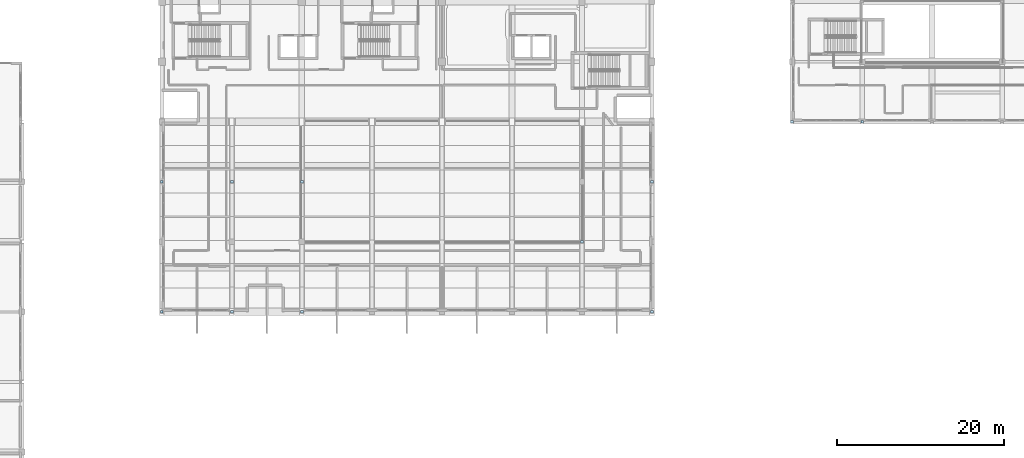
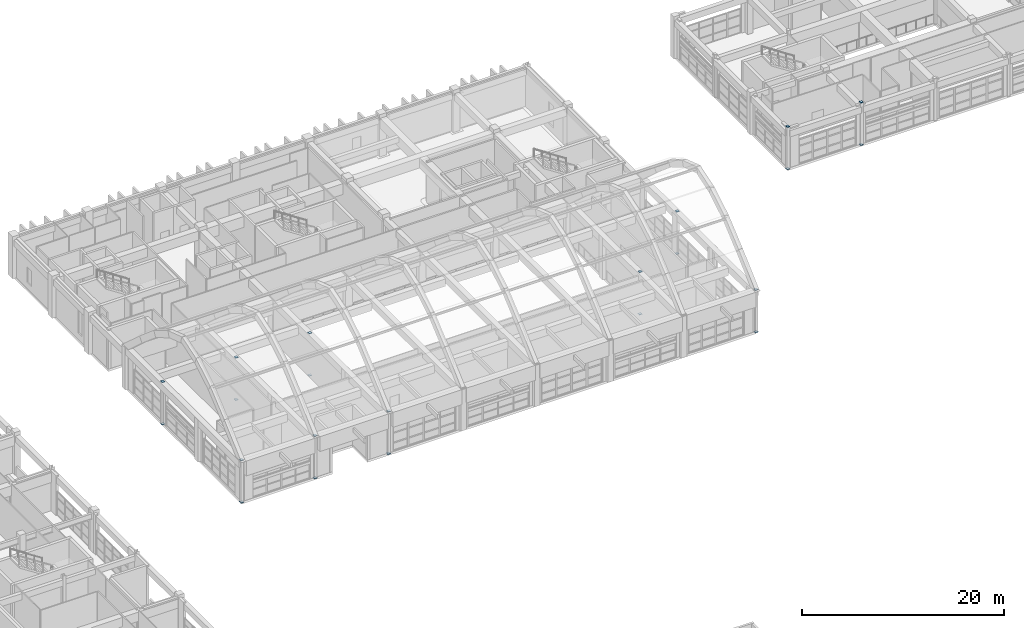
# One storey, part 81 of 103: 22 plates.
"""IFC4 building model written with IfcOpenShell, lengths in metres."""

import ifcopenshell
import ifcopenshell.guid

model = None  # the IFC model being written
_history = None  # IfcOwnerHistory: only IFC2X3 demands one
_inside = {}  # id of a spatial element -> (the spatial element, [elements in it])
_under = {}  # id of a project, library or spatial element -> (it, [spatial elements below it])
_declared = {}  # id of a project -> (the project, [libraries it declares])
_typed = {}  # id of a type object -> (the type object, [elements of that type])
_made_of = {}  # id of a material, layer set ... -> (it, [elements and type objects made of it])


def new_model(schema):
    """Start an empty IFC model of exactly this schema.

    Asked for "IFC4X3", IfcOpenShell would pick the latest addendum, in which some entities
    have other attributes; the version numbers below select the first issue.
    IFC2X3 requires an IfcOwnerHistory on every rooted entity: one is made here for all.
    """
    global model, _history
    if schema == "IFC4X3":
        model = ifcopenshell.file(schema_version=(4, 3, 0, 0))
    else:
        model = ifcopenshell.file(schema=schema)
    _inside.clear()
    _under.clear()
    _declared.clear()
    _typed.clear()
    _made_of.clear()
    _history = None
    if model.schema == "IFC2X3":
        org = make("IfcOrganization", Name="unknown")
        user = make(
            "IfcPersonAndOrganization",
            ThePerson=make("IfcPerson", FamilyName="unknown"),
            TheOrganization=org,
        )
        app = make(
            "IfcApplication",
            ApplicationDeveloper=org,
            Version="unknown",
            ApplicationFullName="unknown",
            ApplicationIdentifier="unknown",
        )
        _history = make(
            "IfcOwnerHistory",
            OwningUser=user,
            OwningApplication=app,
            ChangeAction="ADDED",
            CreationDate=0,
        )
    return model


def make(cls, **values):
    """One entity of the class cls with the attributes given. An attribute that is None is left unset."""
    return model.create_entity(
        cls, **{name: value for name, value in values.items() if value is not None}
    )


def rooted(cls, **values):
    """An entity with a GlobalId (a new one), such as an element, a storey or a relation."""
    return make(cls, GlobalId=ifcopenshell.guid.new(), OwnerHistory=_history, **values)


def si_unit(unit_type, name, prefix=None):
    """IfcSIUnit, for example si_unit("LENGTHUNIT", "METRE", prefix="MILLI")."""
    return make("IfcSIUnit", UnitType=unit_type, Prefix=prefix, Name=name)


def assignment(units):
    """IfcUnitAssignment: the units of a project."""
    return None if units is None else make("IfcUnitAssignment", Units=units)


def point(xyz):
    """IfcCartesianPoint."""
    return None if xyz is None else make("IfcCartesianPoint", Coordinates=xyz)


def direction(xyz):
    """IfcDirection."""
    return None if xyz is None else make("IfcDirection", DirectionRatios=xyz)


def frame(location, z_axis=None, x_axis=None):
    """IfcAxis2Placement3D, a coordinate frame: its origin and axes. An axis left out is left unset."""
    return make(
        "IfcAxis2Placement3D",
        Location=point(location),
        Axis=direction(z_axis),
        RefDirection=direction(x_axis),
    )


def frame_2d(location, x_axis=None):
    """IfcAxis2Placement2D, a coordinate frame in the plane: its origin and x axis."""
    return make(
        "IfcAxis2Placement2D", Location=point(location), RefDirection=direction(x_axis)
    )


def origin():
    """The frame at (0, 0, 0) with its axes left unset."""
    return frame((0.0, 0.0, 0.0))


def origin_2d():
    """The frame at (0, 0) in the plane with its x axis left unset."""
    return frame_2d((0.0, 0.0))


def place(relative_to, where):
    """IfcLocalPlacement: puts the frame where relative to a parent placement (None: the world)."""
    return make(
        "IfcLocalPlacement", PlacementRelTo=relative_to, RelativePlacement=where
    )


def context(
    kind, dimensions, precision=None, world=None, true_north=None, identifier=None
):
    """IfcGeometricRepresentationContext, for example the 3D "Model" context."""
    return make(
        "IfcGeometricRepresentationContext",
        ContextIdentifier=identifier,
        ContextType=kind,
        CoordinateSpaceDimension=dimensions,
        Precision=precision,
        WorldCoordinateSystem=world,
        TrueNorth=true_north,
    )


def subcontext(parent, identifier, kind, view, scale=None):
    """IfcGeometricRepresentationSubContext, for example "Body" below "Model"."""
    return make(
        "IfcGeometricRepresentationSubContext",
        ContextIdentifier=identifier,
        ContextType=kind,
        ParentContext=parent,
        TargetScale=scale,
        TargetView=view,
    )


def project(units=None, contexts=None):
    """IfcProject with its units and contexts."""
    return rooted(
        "IfcProject",
        Name="project",
        RepresentationContexts=contexts,
        UnitsInContext=assignment(units),
    )


def spatial(cls, under=None, at=None, **own):
    """A site, building, storey or space (cls), placed at a placement, below another one or the project."""
    s = rooted(cls, ObjectPlacement=at, **own)
    if under is not None:
        _under.setdefault(under.id(), (under, []))[1].append(s)
    return s


def profile(cls, at=None, kind="AREA", **sizes):
    """A parametric profile (cls). Its sizes go by their IFC names, for example OverallWidth=200.0."""
    return make(cls, ProfileType=kind, Position=at, **sizes)


def rectangle(**sizes):
    """IfcRectangleProfileDef."""
    return profile("IfcRectangleProfileDef", **sizes)


def extrude(swept, where, along, depth):
    """IfcExtrudedAreaSolid: the profile swept, set in the frame where, extruded along a direction by depth."""
    return make(
        "IfcExtrudedAreaSolid",
        SweptArea=swept,
        Position=where,
        ExtrudedDirection=direction(along),
        Depth=depth,
    )


def shape(context_of_items, identifier, shape_type, items):
    """IfcShapeRepresentation: the items that make up one representation, for example the "Body"."""
    return make(
        "IfcShapeRepresentation",
        ContextOfItems=context_of_items,
        RepresentationIdentifier=identifier,
        RepresentationType=shape_type,
        Items=items,
    )


def material(Name=None, Category=None):
    """IfcMaterial."""
    return make("IfcMaterial", Name=Name, Category=Category)


def layer(
    of_material, thickness, ventilated=None, Name=None, Category=None, Priority=None
):
    """IfcMaterialLayer: one layer of a wall or slab, of a material (None: an air gap)."""
    return make(
        "IfcMaterialLayer",
        Material=of_material,
        LayerThickness=thickness,
        IsVentilated=ventilated,
        Name=Name,
        Category=Category,
        Priority=Priority,
    )


def layer_set(layers, Name=None):
    """IfcMaterialLayerSet."""
    return make("IfcMaterialLayerSet", MaterialLayers=layers, LayerSetName=Name)


def made_of(thing, what):
    """Note that an element or type object is made of a material, layer set ...; save() writes the relation."""
    if what is not None:
        _made_of.setdefault(what.id(), (what, []))[1].append(thing)
    return thing


def type_object(cls, material=None, **own):
    """A type object (cls), such as IfcWallType, which elements share."""
    return made_of(rooted(cls, **own), material)


def element(
    cls,
    number,
    at=None,
    inside=None,
    cuts=None,
    type_object=None,
    material=None,
    context=None,
    identifier="Body",
    shape_type=None,
    held_by="IfcProductDefinitionShape",
    body=None,
    shapes=None,
    **own,
):
    """One element of the class cls, such as IfcWall. Its Tag is "e" and its number.

    at: its placement. inside: the storey or other place that contains it. cuts: it is an
    opening in that element (IfcRelVoidsElement). A single representation is given by context,
    identifier, shape_type and body (its items); several are given by shapes. held_by: the class
    of the entity that holds the representations. save() writes the other relations.
    """
    e = rooted(cls, Tag="e%d" % number, ObjectPlacement=at, **own)
    if body is not None:
        shapes = [shape(context, identifier, shape_type, body)]
    if shapes is not None:
        e.Representation = make(held_by, Representations=shapes)
    if inside is not None:
        _inside.setdefault(inside.id(), (inside, []))[1].append(e)
    if cuts is not None:
        rooted(
            "IfcRelVoidsElement", RelatingBuildingElement=cuts, RelatedOpeningElement=e
        )
    if type_object is not None:
        _typed.setdefault(type_object.id(), (type_object, []))[1].append(e)
    return made_of(e, material)


def aggregate(whole, parts):
    """IfcRelAggregates: a whole, such as a stair, and the parts it consists of."""
    return rooted("IfcRelAggregates", RelatingObject=whole, RelatedObjects=parts)


def save(model, path):
    """Write the relations noted so far, then the file.

    IfcRelAggregates (storeys below a building ...), IfcRelContainedInSpatialStructure (elements
    in a storey), IfcRelDefinesByType, IfcRelAssociatesMaterial and IfcRelDeclares: one each for
    every whole, place, type object, material and project.
    """
    for whole, parts in _under.values():
        aggregate(whole, parts)
    for where, things in _inside.values():
        rooted(
            "IfcRelContainedInSpatialStructure",
            RelatedElements=things,
            RelatingStructure=where,
        )
    for kind, things in _typed.values():
        rooted("IfcRelDefinesByType", RelatedObjects=things, RelatingType=kind)
    for what, things in _made_of.values():
        rooted("IfcRelAssociatesMaterial", RelatedObjects=things, RelatingMaterial=what)
    for by, libraries in _declared.values():
        rooted("IfcRelDeclares", RelatingContext=by, RelatedDefinitions=libraries)
    model.write(path)


model = new_model("IFC4")

# Units and contexts
model_context = context("Model", 3, precision=1e-05, world=origin(), true_north=direction((0.0, 1.0)))
body_context = subcontext(model_context, "Body", "Model", "MODEL_VIEW")
ifc_project = project(units=[si_unit("LENGTHUNIT", "METRE"), si_unit("AREAUNIT", "SQUARE_METRE"), si_unit("VOLUMEUNIT", "CUBIC_METRE"), si_unit("PLANEANGLEUNIT", "RADIAN"), si_unit("MASSUNIT", "GRAM", prefix="KILO")], contexts=[model_context])

# Site, building, storey
site_placement = place(None, origin())
site = spatial("IfcSite", under=ifc_project, at=site_placement, CompositionType="ELEMENT")
building_placement = place(site_placement, origin())
building = spatial("IfcBuilding", under=site, at=building_placement, Name="Quendrovan Civic Courthouse", CompositionType="ELEMENT")
storey_placement = place(building_placement, frame((0.0, 0.0, 15.300048828125)))
storey = spatial("IfcBuildingStorey", under=building, at=storey_placement, Name="L04", CompositionType="ELEMENT", Elevation=15.300048828125)

# Plates
ifc_material = material(Name="Steel ASTM A572 Grade 50", Category="steel")
ifc_layer = layer(ifc_material, 0.011962890625, Name="Steel ASTM A572 Grade 50")
ifc_layer_set = layer_set([ifc_layer], Name="Steel ASTM A572 Grade 50")
plate_type = type_object("IfcPlateType", Name="PLT-CAP-12", PredefinedType="SHEET", material=ifc_layer_set)
for number, where, z_axis, x_axis, name in (
    (1, (33.60009765625, 64.800048828125, 5.10009765625), (0.0, 0.0, 1.0), (1.0, 0.0, 0.0), "L04 Hollow Column End Cap Plate COL-L04-5-J-TOP"),
    (2, (33.60009765625, 64.800048828125, -0.01220703125), (0.0, 0.0, 1.0), (1.0, 0.0, 0.0), "L04 Hollow Column End Cap Plate COL-L04-5-J-BOT"),
    (3, (33.60009765625, 80.39990234375, 5.10009765625), (0.0, 0.0, 1.0), (1.0, 0.0, 0.0), "L04 Hollow Column End Cap Plate COL-L04-5-L-TOP"),
    (4, (33.60009765625, 80.39990234375, -0.01220703125), (0.0, 0.0, 1.0), (1.0, 0.0, 0.0), "L04 Hollow Column End Cap Plate COL-L04-5-L-BOT"),
    (5, (42.0, 64.800048828125, 5.10009765625), (0.0, 0.0, 1.0), (1.0, 0.0, 0.0), "L04 Hollow Column End Cap Plate COL-L04-6-J-TOP"),
    (6, (42.0, 64.800048828125, -0.01220703125), (0.0, 0.0, 1.0), (1.0, 0.0, 0.0), "L04 Hollow Column End Cap Plate COL-L04-6-J-BOT"),
    (7, (42.0, 80.39990234375, 5.10009765625), (0.0, 0.0, 1.0), (1.0, 0.0, 0.0), "L04 Hollow Column End Cap Plate COL-L04-6-L-TOP"),
    (8, (42.0, 80.39990234375, -0.01220703125), (0.0, 0.0, 1.0), (1.0, 0.0, 0.0), "L04 Hollow Column End Cap Plate COL-L04-6-L-BOT"),
    (9, (50.39990234375, 64.800048828125, 5.10009765625), (0.0, 0.0, 1.0), (1.0, 0.0, 0.0), "L04 Hollow Column End Cap Plate COL-L04-7-J-TOP"),
    (10, (50.39990234375, 64.800048828125, -0.01220703125), (0.0, 0.0, 1.0), (1.0, 0.0, 0.0), "L04 Hollow Column End Cap Plate COL-L04-7-J-BOT"),
    (11, (50.39990234375, 80.39990234375, 5.10009765625), (0.0, 0.0, 1.0), (1.0, 0.0, 0.0), "L04 Hollow Column End Cap Plate COL-L04-7-L-TOP"),
    (12, (50.39990234375, 80.39990234375, -0.01220703125), (0.0, 0.0, 1.0), (1.0, 0.0, 0.0), "L04 Hollow Column End Cap Plate COL-L04-7-L-BOT"),
    (13, (84.0, 73.199951171875, 5.10009765625), (0.0, 0.0, 1.0), (1.0, 0.0, 0.0), "L04 Hollow Column End Cap Plate COL-L04-11-K-TOP"),
    (14, (84.0, 73.199951171875, -0.01220703125), (0.0, 0.0, 1.0), (1.0, 0.0, 0.0), "L04 Hollow Column End Cap Plate COL-L04-11-K-BOT"),
    (15, (92.39990234375, 64.800048828125, 5.10009765625), (0.0, 0.0, 1.0), (1.0, 0.0, 0.0), "L04 Hollow Column End Cap Plate COL-L04-12-J-TOP"),
    (16, (92.39990234375, 64.800048828125, -0.01220703125), (0.0, 0.0, 1.0), (1.0, 0.0, 0.0), "L04 Hollow Column End Cap Plate COL-L04-12-J-BOT"),
    (17, (92.39990234375, 80.39990234375, 5.10009765625), (0.0, 0.0, 1.0), (1.0, 0.0, 0.0), "L04 Hollow Column End Cap Plate COL-L04-12-L-TOP"),
    (18, (92.39990234375, 80.39990234375, -0.01220703125), (0.0, 0.0, 1.0), (1.0, 0.0, 0.0), "L04 Hollow Column End Cap Plate COL-L04-12-L-BOT"),
    (19, (109.199951171875, 87.60009765625, 5.10009765625), (0.0, 0.0, 1.0), (1.0, 0.0, 0.0), "L04 Hollow Column End Cap Plate COL-L04-14-M-TOP"),
    (20, (109.199951171875, 87.60009765625, -0.01220703125), (0.0, 0.0, 1.0), (1.0, 0.0, 0.0), "L04 Hollow Column End Cap Plate COL-L04-14-M-BOT"),
    (21, (117.60009765625, 87.60009765625, 5.10009765625), (0.0, 0.0, 1.0), (1.0, 0.0, 0.0), "L04 Hollow Column End Cap Plate COL-L04-15-M-TOP"),
    (22, (117.60009765625, 87.60009765625, -0.01220703125), (0.0, 0.0, 1.0), (1.0, 0.0, 0.0), "L04 Hollow Column End Cap Plate COL-L04-15-M-BOT"),
):
    element("IfcPlate", number, at=place(storey_placement, frame(where, z_axis=z_axis, x_axis=x_axis)), inside=storey, type_object=plate_type, Name=name, PredefinedType="SHEET", context=body_context, shape_type="SweptSolid", body=[
        extrude(rectangle(XDim=0.320068359375, YDim=0.320068359375, at=origin_2d()), origin(), (0.0, 0.0, 1.0), 0.011962890625),
    ])

save(model, "model.ifc")
